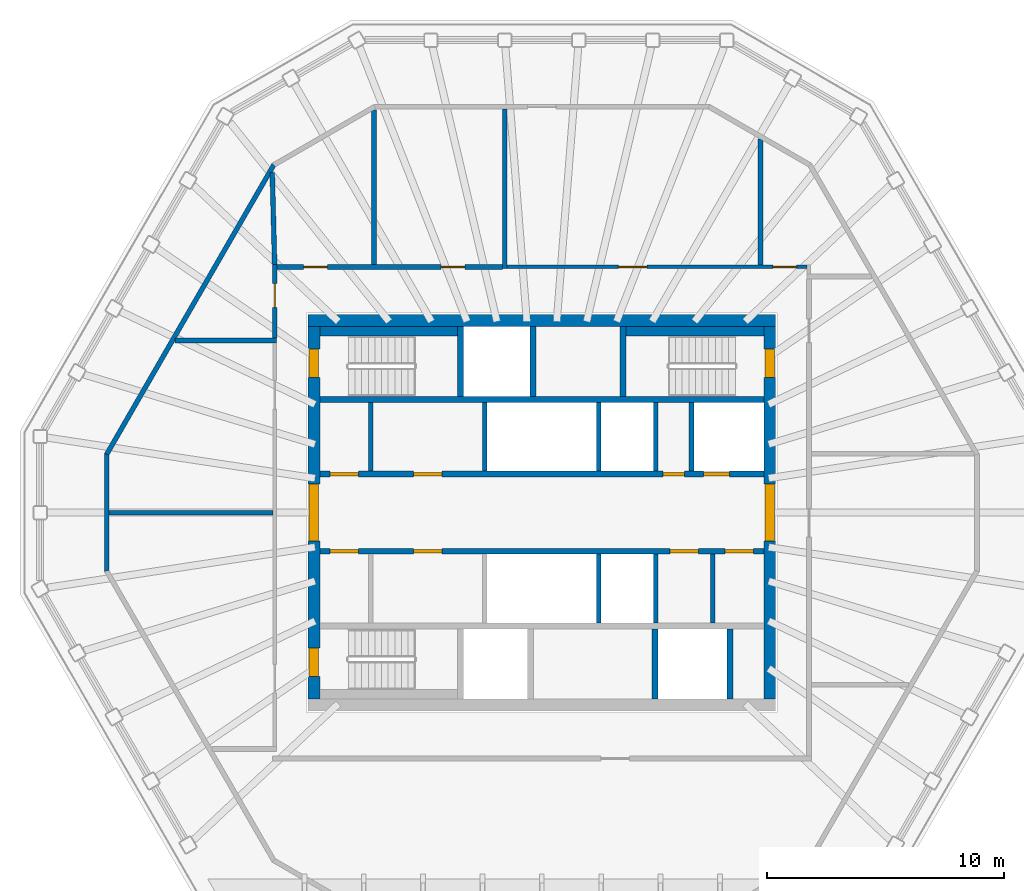
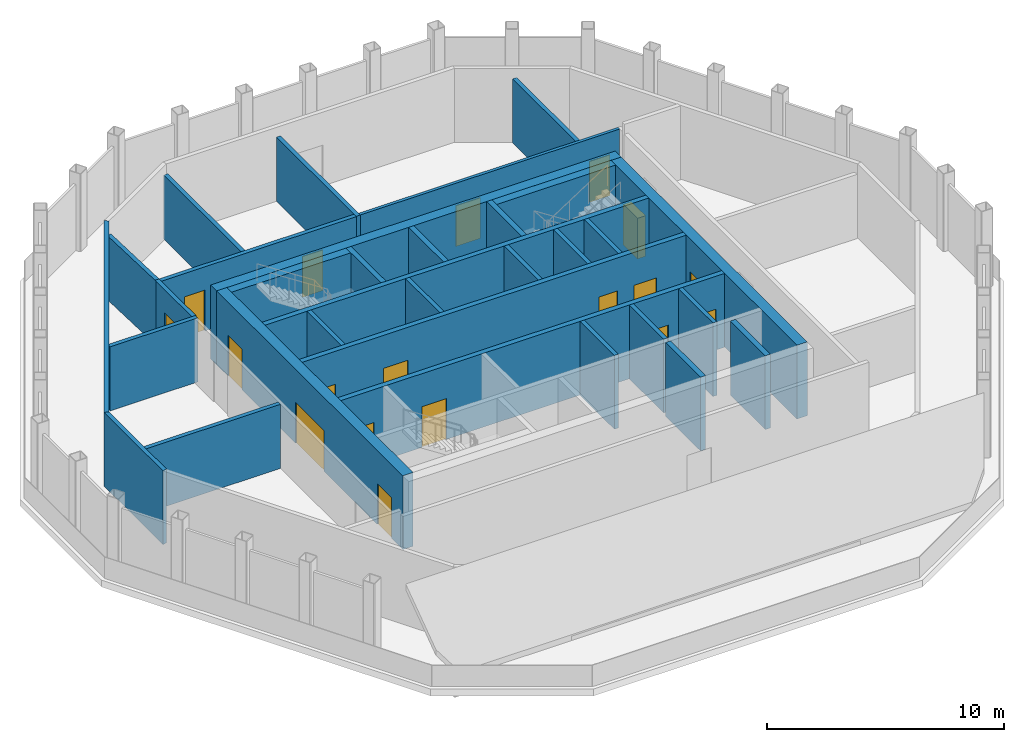
# One storey, part 3 of 5: 32 walls, 18 doors, 18 openings.
"""IFC4 building model written with IfcOpenShell, lengths in metres."""

from ifc_helpers import new_model, si_unit, direction, frame, frame_2d, origin, place, context, subcontext, project, spatial, polyline, rectangle, outline, extrude, material, layer, layer_set, type_object, element, fill, save


model = new_model("IFC4")

# Units and contexts
model_context = context("Model", 3, precision=1e-05, world=origin(), true_north=direction((0.0, 1.0)))
body_context = subcontext(model_context, "Body", "Model", "MODEL_VIEW")
ifc_project = project(units=[si_unit("LENGTHUNIT", "METRE"), si_unit("AREAUNIT", "SQUARE_METRE"), si_unit("VOLUMEUNIT", "CUBIC_METRE"), si_unit("PLANEANGLEUNIT", "RADIAN"), si_unit("MASSUNIT", "GRAM", prefix="KILO")], contexts=[model_context])

# Site, building, storey
site_placement = place(None, origin())
site = spatial("IfcSite", under=ifc_project, at=site_placement, CompositionType="ELEMENT")
building_placement = place(site_placement, origin())
building = spatial("IfcBuilding", under=site, at=building_placement, Name="Frailejon Research Tower", CompositionType="ELEMENT")
storey_placement = place(building_placement, frame((0.0, 0.0, 344.60009765625)))
storey = spatial("IfcBuildingStorey", under=building, at=storey_placement, Name="L77", CompositionType="ELEMENT", Elevation=344.60009765625)

# Wall
ifc_material_1 = material(Name="Concrete C50/60", Category="concrete")
ifc_layer_1 = layer(ifc_material_1, 0.5)
ifc_layer_set_1 = layer_set([ifc_layer_1], Name="Core shear wall 500 C50/60")
wall_type_1 = type_object("IfcWallType", Name="Core shear wall 500 C50/60", PredefinedType="SHEAR", material=ifc_layer_set_1)
wall_1_placement = place(storey_placement, frame((-9.85009765625, 8.10009765625, 0.0), z_axis=(0.0, 0.0, 1.0), x_axis=(1.0, 0.0, 0.0)))
element("IfcWall", 1, at=wall_1_placement, inside=storey, type_object=wall_type_1, Name="Core shear wall", PredefinedType="SHEAR", context=body_context, shape_type="SweptSolid", body=[
    extrude(rectangle(XDim=19.7001953125, YDim=0.5, at=frame_2d((9.85009765625, 0.0))), origin(), (0.0, 0.0, 1.0), 3.7998046875),
])

# Wall, openings, doors
wall_2_placement = place(storey_placement, frame((-9.60009765625, -7.85009765625, 0.0), z_axis=(0.0, 0.0, 1.0), x_axis=(0.0, 1.0, 0.0)))
wall_2 = element("IfcWall", 2, at=wall_2_placement, inside=storey, type_object=wall_type_1, Name="Core shear wall", PredefinedType="SHEAR", context=body_context, shape_type="SweptSolid", body=[
    extrude(rectangle(XDim=15.7001953125, YDim=0.5, at=frame_2d((7.85009765625, 0.0))), origin(), (0.0, 0.0, 1.0), 3.7998046875),
])
opening_1_placement = place(wall_2_placement, frame((6.64990234375, 0.0, 0.0)))
opening_1 = element("IfcOpeningElement", 3, at=opening_1_placement, cuts=wall_2, Name="Opening D2", PredefinedType="OPENING", context=body_context, shape_type="SweptSolid", body=[
    extrude(rectangle(XDim=2.39990234375, YDim=2.10009765625, at=frame_2d((1.199951171875, 1.050048828125))), frame((0.0, 0.260009765625, 0.0), z_axis=(0.0, -1.0, 0.0), x_axis=(1.0, 0.0, 0.0)), (0.0, 0.0, 1.0), 0.52001953125),
])
opening_2_placement = place(wall_2_placement, frame((13.550048828125, 0.0, 0.0)))
opening_2 = element("IfcOpeningElement", 4, at=opening_2_placement, cuts=wall_2, Name="Opening D1", PredefinedType="OPENING", context=body_context, shape_type="SweptSolid", body=[
    extrude(rectangle(XDim=1.199951171875, YDim=2.10009765625, at=frame_2d((0.60009765625, 1.050048828125))), frame((0.0, 0.260009765625, 0.0), z_axis=(0.0, -1.0, 0.0), x_axis=(1.0, 0.0, 0.0)), (0.0, 0.0, 1.0), 0.52001953125),
])
opening_3_placement = place(wall_2_placement, frame((0.949951171875, 0.0, 0.0)))
opening_3 = element("IfcOpeningElement", 5, at=opening_3_placement, cuts=wall_2, Name="Opening D1", PredefinedType="OPENING", context=body_context, shape_type="SweptSolid", body=[
    extrude(rectangle(XDim=1.199951171875, YDim=2.10009765625, at=frame_2d((0.60009765625, 1.050048828125))), frame((0.0, 0.260009765625, 0.0), z_axis=(0.0, -1.0, 0.0), x_axis=(1.0, 0.0, 0.0)), (0.0, 0.0, 1.0), 0.52001953125),
])
ifc_material_2 = material(Name="Steel", Category="steel")
door_type_1 = type_object("IfcDoorType", Name="Lobby double door", OperationType="DOUBLE_DOOR_SINGLE_SWING", PredefinedType="DOOR", material=ifc_material_2)
door_1_placement = place(opening_1_placement, origin())
door_1 = element("IfcDoor", 6, at=door_1_placement, inside=storey, type_object=door_type_1, Name="Lobby door", OperationType="DOUBLE_DOOR_SINGLE_SWING", OverallHeight=2.10009765625, OverallWidth=2.39990234375, PredefinedType="DOOR", context=body_context, shape_type="SweptSolid", body=[
    extrude(rectangle(XDim=2.39990234375, YDim=2.10009765625, at=frame_2d((1.199951171875, 1.050048828125))), frame((0.0, 0.199951171875, 0.0), z_axis=(0.0, -1.0, 0.0), x_axis=(1.0, 0.0, 0.0)), (0.0, 0.0, 1.0), 0.39990234375),
])
fill(opening_1, door_1)
ifc_material_3 = material(Name="Steel", Category="steel")
door_type_2 = type_object("IfcDoorType", Name="Stair door", OperationType="SINGLE_SWING_LEFT", PredefinedType="DOOR", material=ifc_material_3)
door_2_placement = place(opening_2_placement, origin())
door_2 = element("IfcDoor", 7, at=door_2_placement, inside=storey, type_object=door_type_2, Name="Stair door ST1", OperationType="SINGLE_SWING_LEFT", OverallHeight=2.10009765625, OverallWidth=1.199951171875, PredefinedType="DOOR", context=body_context, shape_type="SweptSolid", body=[
    extrude(rectangle(XDim=1.199951171875, YDim=2.10009765625, at=frame_2d((0.60009765625, 1.050048828125))), frame((0.0, 0.199951171875, 0.0), z_axis=(0.0, -1.0, 0.0), x_axis=(1.0, 0.0, 0.0)), (0.0, 0.0, 1.0), 0.39990234375),
])
fill(opening_2, door_2)
door_3_placement = place(opening_3_placement, origin())
door_3 = element("IfcDoor", 8, at=door_3_placement, inside=storey, type_object=door_type_2, Name="Stair door ST2", OperationType="SINGLE_SWING_RIGHT", OverallHeight=2.10009765625, OverallWidth=1.199951171875, PredefinedType="DOOR", context=body_context, shape_type="SweptSolid", body=[
    extrude(rectangle(XDim=1.199951171875, YDim=2.10009765625, at=frame_2d((0.60009765625, 1.050048828125))), frame((0.0, 0.199951171875, 0.0), z_axis=(0.0, -1.0, 0.0), x_axis=(1.0, 0.0, 0.0)), (0.0, 0.0, 1.0), 0.39990234375),
])
fill(opening_3, door_3)

wall_3_placement = place(storey_placement, frame((9.60009765625, -7.85009765625, 0.0), z_axis=(0.0, 0.0, 1.0), x_axis=(0.0, 1.0, 0.0)))
wall_3 = element("IfcWall", 9, at=wall_3_placement, inside=storey, type_object=wall_type_1, Name="Core shear wall", PredefinedType="SHEAR", context=body_context, shape_type="SweptSolid", body=[
    extrude(rectangle(XDim=15.7001953125, YDim=0.5, at=frame_2d((7.85009765625, 0.0))), origin(), (0.0, 0.0, 1.0), 3.7998046875),
])
opening_4_placement = place(wall_3_placement, frame((6.64990234375, 0.0, 0.0)))
opening_4 = element("IfcOpeningElement", 10, at=opening_4_placement, cuts=wall_3, Name="Opening D2", PredefinedType="OPENING", context=body_context, shape_type="SweptSolid", body=[
    extrude(rectangle(XDim=2.39990234375, YDim=2.10009765625, at=frame_2d((1.199951171875, 1.050048828125))), frame((0.0, 0.260009765625, 0.0), z_axis=(0.0, -1.0, 0.0), x_axis=(1.0, 0.0, 0.0)), (0.0, 0.0, 1.0), 0.52001953125),
])
opening_5_placement = place(wall_3_placement, frame((13.550048828125, 0.0, 0.0)))
opening_5 = element("IfcOpeningElement", 11, at=opening_5_placement, cuts=wall_3, Name="Opening D1", PredefinedType="OPENING", context=body_context, shape_type="SweptSolid", body=[
    extrude(rectangle(XDim=1.199951171875, YDim=2.10009765625, at=frame_2d((0.60009765625, 1.050048828125))), frame((0.0, 0.260009765625, 0.0), z_axis=(0.0, -1.0, 0.0), x_axis=(1.0, 0.0, 0.0)), (0.0, 0.0, 1.0), 0.52001953125),
])
door_4_placement = place(opening_4_placement, origin())
door_4 = element("IfcDoor", 12, at=door_4_placement, inside=storey, type_object=door_type_1, Name="Lobby door", OperationType="DOUBLE_DOOR_SINGLE_SWING", OverallHeight=2.10009765625, OverallWidth=2.39990234375, PredefinedType="DOOR", context=body_context, shape_type="SweptSolid", body=[
    extrude(rectangle(XDim=2.39990234375, YDim=2.10009765625, at=frame_2d((1.199951171875, 1.050048828125))), frame((0.0, 0.199951171875, 0.0), z_axis=(0.0, -1.0, 0.0), x_axis=(1.0, 0.0, 0.0)), (0.0, 0.0, 1.0), 0.39990234375),
])
fill(opening_4, door_4)
door_5_placement = place(opening_5_placement, origin())
door_5 = element("IfcDoor", 13, at=door_5_placement, inside=storey, type_object=door_type_2, Name="Stair door ST3", OperationType="SINGLE_SWING_LEFT", OverallHeight=2.10009765625, OverallWidth=1.199951171875, PredefinedType="DOOR", context=body_context, shape_type="SweptSolid", body=[
    extrude(rectangle(XDim=1.199951171875, YDim=2.10009765625, at=frame_2d((0.60009765625, 1.050048828125))), frame((0.0, 0.199951171875, 0.0), z_axis=(0.0, -1.0, 0.0), x_axis=(1.0, 0.0, 0.0)), (0.0, 0.0, 1.0), 0.39990234375),
])
fill(opening_5, door_5)

ifc_material_4 = material(Name="Gypsum board and masonry partition", Category="masonry")
ifc_layer_2 = layer(ifc_material_4, 0.14990234375)
ifc_layer_set_2 = layer_set([ifc_layer_2], Name="Corridor wall EI 60, gypsum on steel studs 150")
wall_type_2 = type_object("IfcWallType", Name="Corridor wall EI 60, gypsum on steel studs 150", PredefinedType="PARTITIONING", material=ifc_layer_set_2)
wall_4_placement = place(storey_placement, frame((-1.45751953125, 10.35009765625, 0.0), z_axis=(0.0, 0.0, 1.0), x_axis=(1.0, 0.0, 0.0)))
wall_4 = element("IfcWall", 14, at=wall_4_placement, inside=storey, type_object=wall_type_2, Name="T:IW:L77:001", PredefinedType="PARTITIONING", context=body_context, shape_type="SweptSolid", body=[
    extrude(rectangle(XDim=12.632568359375, YDim=0.14990234375, at=frame_2d((6.31640625, 0.0))), origin(), (0.0, 0.0, 1.0), 3.2998046875),
])
opening_6_placement = place(wall_4_placement, frame((11.189208984375, 0.0, 0.0)))
opening_6 = element("IfcOpeningElement", 15, at=opening_6_placement, cuts=wall_4, Name="Opening D1163", PredefinedType="OPENING", context=body_context, shape_type="SweptSolid", body=[
    extrude(rectangle(XDim=1.0, YDim=2.10009765625, at=frame_2d((0.5, 1.050048828125))), frame((0.0, 0.0849609375, 0.0), z_axis=(0.0, -1.0, 0.0), x_axis=(1.0, 0.0, 0.0)), (0.0, 0.0, 1.0), 0.169921875),
])
opening_7_placement = place(wall_4_placement, frame((4.685546875, 0.0, 0.0)))
opening_7 = element("IfcOpeningElement", 16, at=opening_7_placement, cuts=wall_4, Name="Opening D1164", PredefinedType="OPENING", context=body_context, shape_type="SweptSolid", body=[
    extrude(rectangle(XDim=1.199951171875, YDim=2.10009765625, at=frame_2d((0.60009765625, 1.050048828125))), frame((0.0, 0.0849609375, 0.0), z_axis=(0.0, -1.0, 0.0), x_axis=(1.0, 0.0, 0.0)), (0.0, 0.0, 1.0), 0.169921875),
])
ifc_material_5 = material(Name="Steel door leaf", Category="steel")
door_type_3 = type_object("IfcDoorType", Name="Door plant room, steel 1200", OperationType="NOTDEFINED", PredefinedType="DOOR", material=ifc_material_5)
door_6_placement = place(opening_7_placement, origin())
door_6 = element("IfcDoor", 17, at=door_6_placement, inside=storey, type_object=door_type_3, Name="D1164", OperationType="DOUBLE_DOOR_SINGLE_SWING", OverallHeight=2.10009765625, OverallWidth=1.199951171875, PredefinedType="DOOR", context=body_context, shape_type="SweptSolid", body=[
    extrude(rectangle(XDim=1.199951171875, YDim=2.10009765625, at=frame_2d((0.60009765625, 1.050048828125))), frame((0.0, 0.02490234375, 0.0), z_axis=(0.0, -1.0, 0.0), x_axis=(1.0, 0.0, 0.0)), (0.0, 0.0, 1.0), 0.050048828125),
])
fill(opening_7, door_6)
ifc_material_6 = material(Name="Timber door leaf", Category="wood")
door_type_4 = type_object("IfcDoorType", Name="Door single leaf, timber, steel frame 1000", OperationType="NOTDEFINED", PredefinedType="DOOR", material=ifc_material_6)
door_7_placement = place(opening_6_placement, origin())
door_7 = element("IfcDoor", 18, at=door_7_placement, inside=storey, type_object=door_type_4, Name="D1163", OperationType="SINGLE_SWING_RIGHT", OverallHeight=2.10009765625, OverallWidth=1.0, PredefinedType="DOOR", context=body_context, shape_type="SweptSolid", body=[
    extrude(rectangle(XDim=1.0, YDim=2.10009765625, at=frame_2d((0.5, 1.050048828125))), frame((0.0, 0.02490234375, 0.0), z_axis=(0.0, -1.0, 0.0), x_axis=(1.0, 0.0, 0.0)), (0.0, 0.0, 1.0), 0.050048828125),
])
fill(opening_6, door_7)

# Walls
ifc_material_7 = material(Name="Aluminium louvre cladding panel", Category="aluminium")
ifc_layer_3 = layer(ifc_material_7, 0.199951171875)
ifc_layer_set_3 = layer_set([ifc_layer_3], Name="Crown louvred wall 200")
wall_type_3 = type_object("IfcWallType", Name="Crown louvred wall 200", PredefinedType="SOLIDWALL", material=ifc_layer_set_3)
wall_5_placement = place(storey_placement, frame((-11.29052734375, 14.644287109375, 0.0), z_axis=(0.0, 0.0, 1.0), x_axis=(-0.499991740577, -0.866030172312, 0.0)))
element("IfcWall", 19, at=wall_5_placement, inside=storey, type_object=wall_type_3, Name="Crown louvred wall L77", PredefinedType="SOLIDWALL", context=body_context, shape_type="SweptSolid", body=[
    extrude(outline(polyline([(-0.02685546875, -0.10009765625), (14.100830078125, -0.10009765625), (14.047119140625, 0.10009765625), (0.02685546875, 0.10009765625), (-0.02685546875, -0.10009765625)])), origin(), (0.0, 0.0, 1.0), 3.7998046875),
])
wall_6_placement = place(storey_placement, frame((-18.327392578125, 2.455810546875, 0.0), z_axis=(0.0, 0.0, 1.0), x_axis=(0.0, -1.0, 0.0)))
element("IfcWall", 20, at=wall_6_placement, inside=storey, type_object=wall_type_3, Name="Crown louvred wall L77", PredefinedType="SOLIDWALL", context=body_context, shape_type="SweptSolid", body=[
    extrude(outline(polyline([(-0.02685546875, -0.10009765625), (4.9384765625, -0.10009765625), (4.884765625, 0.10009765625), (0.02685546875, 0.10009765625), (-0.02685546875, -0.10009765625)])), origin(), (0.0, 0.0, 1.0), 3.7998046875),
])

# Wall, openings, doors
ifc_material_8 = material(Name="Gypsum board and masonry partition", Category="masonry")
ifc_layer_4 = layer(ifc_material_8, 0.199951171875)
ifc_layer_set_4 = layer_set([ifc_layer_4], Name="Plant enclosure wall, blockwork 200")
wall_type_4 = type_object("IfcWallType", Name="Plant enclosure wall, blockwork 200", PredefinedType="PARTITIONING", material=ifc_layer_set_4)
wall_7_placement = place(storey_placement, frame((-11.14990234375, 10.35009765625, 0.0), z_axis=(0.0, 0.0, 1.0), x_axis=(1.0, 0.0, 0.0)))
wall_7 = element("IfcWall", 21, at=wall_7_placement, inside=storey, type_object=wall_type_4, Name="T:IW:L77:005", PredefinedType="PARTITIONING", context=body_context, shape_type="SweptSolid", body=[
    extrude(rectangle(XDim=9.492431640625, YDim=0.199951171875, at=frame_2d((4.74609375, 0.0))), origin(), (0.0, 0.0, 1.0), 3.2998046875),
])
opening_8_placement = place(wall_7_placement, frame((6.910400390625, 0.0, 0.0)))
opening_8 = element("IfcOpeningElement", 22, at=opening_8_placement, cuts=wall_7, Name="Opening D1165", PredefinedType="OPENING", context=body_context, shape_type="SweptSolid", body=[
    extrude(rectangle(XDim=1.0, YDim=2.10009765625, at=frame_2d((0.5, 1.050048828125))), frame((0.0, 0.10986328125, 0.0), z_axis=(0.0, -1.0, 0.0), x_axis=(1.0, 0.0, 0.0)), (0.0, 0.0, 1.0), 0.219970703125),
])
opening_9_placement = place(wall_7_placement, frame((1.1201171875, 0.0, 0.0)))
opening_9 = element("IfcOpeningElement", 23, at=opening_9_placement, cuts=wall_7, Name="Opening D1166", PredefinedType="OPENING", context=body_context, shape_type="SweptSolid", body=[
    extrude(rectangle(XDim=1.0, YDim=2.10009765625, at=frame_2d((0.5, 1.050048828125))), frame((0.0, 0.10986328125, 0.0), z_axis=(0.0, -1.0, 0.0), x_axis=(1.0, 0.0, 0.0)), (0.0, 0.0, 1.0), 0.219970703125),
])
ifc_material_9 = material(Name="Steel door leaf", Category="steel")
door_type_5 = type_object("IfcDoorType", Name="Door plant room, steel 1000", OperationType="NOTDEFINED", PredefinedType="DOOR", material=ifc_material_9)
door_8_placement = place(opening_8_placement, origin())
door_8 = element("IfcDoor", 24, at=door_8_placement, inside=storey, type_object=door_type_5, Name="D1165", OperationType="SINGLE_SWING_RIGHT", OverallHeight=2.10009765625, OverallWidth=1.0, PredefinedType="DOOR", context=body_context, shape_type="SweptSolid", body=[
    extrude(rectangle(XDim=1.0, YDim=2.10009765625, at=frame_2d((0.5, 1.050048828125))), frame((0.0, 0.02490234375, 0.0), z_axis=(0.0, -1.0, 0.0), x_axis=(1.0, 0.0, 0.0)), (0.0, 0.0, 1.0), 0.050048828125),
])
fill(opening_8, door_8)
door_9_placement = place(opening_9_placement, origin())
door_9 = element("IfcDoor", 25, at=door_9_placement, inside=storey, type_object=door_type_5, Name="D1166", OperationType="SINGLE_SWING_RIGHT", OverallHeight=2.10009765625, OverallWidth=1.0, PredefinedType="DOOR", context=body_context, shape_type="SweptSolid", body=[
    extrude(rectangle(XDim=1.0, YDim=2.10009765625, at=frame_2d((0.5, 1.050048828125))), frame((0.0, 0.02490234375, 0.0), z_axis=(0.0, -1.0, 0.0), x_axis=(1.0, 0.0, 0.0)), (0.0, 0.0, 1.0), 0.050048828125),
])
fill(opening_9, door_9)

# Wall, opening, door
wall_8_placement = place(storey_placement, frame((-11.25, 7.351318359375, 0.0), z_axis=(0.0, 0.0, 1.0), x_axis=(0.0, 1.0, 0.0)))
wall_8 = element("IfcWall", 26, at=wall_8_placement, inside=storey, type_object=wall_type_4, Name="T:IW:L77:006", PredefinedType="PARTITIONING", context=body_context, shape_type="SweptSolid", body=[
    extrude(rectangle(XDim=3.0986328125, YDim=0.199951171875, at=frame_2d((1.54931640625, 0.0))), origin(), (0.0, 0.0, 1.0), 3.2998046875),
])
opening_10_placement = place(wall_8_placement, frame((1.299072265625, 0.0, 0.0)))
opening_10 = element("IfcOpeningElement", 27, at=opening_10_placement, cuts=wall_8, Name="Opening D1167", PredefinedType="OPENING", context=body_context, shape_type="SweptSolid", body=[
    extrude(rectangle(XDim=1.0, YDim=2.10009765625, at=frame_2d((0.5, 1.050048828125))), frame((0.0, 0.10986328125, 0.0), z_axis=(0.0, -1.0, 0.0), x_axis=(1.0, 0.0, 0.0)), (0.0, 0.0, 1.0), 0.219970703125),
])
door_10_placement = place(opening_10_placement, origin())
door_10 = element("IfcDoor", 28, at=door_10_placement, inside=storey, type_object=door_type_5, Name="D1167", OperationType="SINGLE_SWING_LEFT", OverallHeight=2.10009765625, OverallWidth=1.0, PredefinedType="DOOR", context=body_context, shape_type="SweptSolid", body=[
    extrude(rectangle(XDim=1.0, YDim=2.10009765625, at=frame_2d((0.5, 1.050048828125))), frame((0.0, 0.02490234375, 0.0), z_axis=(0.0, -1.0, 0.0), x_axis=(1.0, 0.0, 0.0)), (0.0, 0.0, 1.0), 0.050048828125),
])
fill(opening_10, door_10)

# Walls
wall_9_placement = place(storey_placement, frame((9.2138671875, 10.425048828125, 0.0), z_axis=(0.0, 0.0, 1.0), x_axis=(0.0, 1.0, 0.0)))
element("IfcWall", 29, at=wall_9_placement, inside=storey, type_object=wall_type_4, Name="T:IW:L77:010", PredefinedType="PARTITIONING", context=body_context, shape_type="SweptSolid", body=[
    extrude(rectangle(XDim=5.302734375, YDim=0.199951171875, at=frame_2d((2.6513671875, 0.0))), origin(), (0.0, 0.0, 1.0), 3.2998046875),
])
wall_10_placement = place(storey_placement, frame((-1.557373046875, 10.27490234375, 0.0), z_axis=(0.0, 0.0, 1.0), x_axis=(0.0, 1.0, 0.0)))
element("IfcWall", 30, at=wall_10_placement, inside=storey, type_object=wall_type_4, Name="T:IW:L77:011", PredefinedType="PARTITIONING", context=body_context, shape_type="SweptSolid", body=[
    extrude(rectangle(XDim=6.72509765625, YDim=0.199951171875, at=frame_2d((3.362548828125, 0.0))), origin(), (0.0, 0.0, 1.0), 3.2998046875),
])
wall_11_placement = place(storey_placement, frame((-7.063720703125, 10.449951171875, 0.0), z_axis=(0.0, 0.0, 1.0), x_axis=(0.0, 1.0, 0.0)))
element("IfcWall", 31, at=wall_11_placement, inside=storey, type_object=wall_type_4, Name="T:IW:L77:012", PredefinedType="PARTITIONING", context=body_context, shape_type="SweptSolid", body=[
    extrude(rectangle(XDim=6.51904296875, YDim=0.199951171875, at=frame_2d((3.259521484375, 0.0))), origin(), (0.0, 0.0, 1.0), 3.2998046875),
])
wall_12_placement = place(storey_placement, frame((-11.353759765625, 14.334716796875, 0.0), z_axis=(0.0, 0.0, 1.0), x_axis=(0.026050566799, -0.999660626398, 0.0)))
element("IfcWall", 32, at=wall_12_placement, inside=storey, type_object=wall_type_4, Name="T:IW:L77:013", PredefinedType="PARTITIONING", context=body_context, shape_type="SweptSolid", body=[
    extrude(rectangle(XDim=4.086181640625, YDim=0.199951171875, at=frame_2d((2.04296875, 0.0))), origin(), (0.0, 0.0, 1.0), 3.2998046875),
])
wall_13_placement = place(storey_placement, frame((-15.443359375, 7.251220703125, 0.0), z_axis=(0.0, 0.0, 1.0), x_axis=(1.0, 0.0, 0.0)))
element("IfcWall", 33, at=wall_13_placement, inside=storey, type_object=wall_type_4, Name="T:IW:L77:014", PredefinedType="PARTITIONING", context=body_context, shape_type="SweptSolid", body=[
    extrude(rectangle(XDim=4.268310546875, YDim=0.199951171875, at=frame_2d((2.13427734375, 0.0))), origin(), (0.0, 0.0, 1.0), 3.2998046875),
])
wall_14_placement = place(storey_placement, frame((-18.2275390625, 0.0, 0.0), z_axis=(0.0, 0.0, 1.0), x_axis=(1.0, 0.0, 0.0)))
element("IfcWall", 34, at=wall_14_placement, inside=storey, type_object=wall_type_4, Name="T:IW:L77:015", PredefinedType="PARTITIONING", context=body_context, shape_type="SweptSolid", body=[
    extrude(rectangle(XDim=6.902587890625, YDim=0.199951171875, at=frame_2d((3.451171875, 0.0))), origin(), (0.0, 0.0, 1.0), 3.2998046875),
])
ifc_material_10 = material(Name="Concrete C50/60", Category="concrete")
ifc_layer_5 = layer(ifc_material_10, 0.199951171875)
ifc_layer_set_5 = layer_set([ifc_layer_5], Name="Shaft wall 200 C50/60")
wall_type_5 = type_object("IfcWallType", Name="Shaft wall 200 C50/60", PredefinedType="SOLIDWALL", material=ifc_layer_set_5)
for number, where, z_axis, x_axis, name in (
    (35, (-7.199951171875, 1.75, 0.0), (0.0, 0.0, 1.0), (0.0, 1.0, 0.0), "Shaft wall"),
    (36, (-2.39990234375, 1.75, 0.0), (0.0, 0.0, 1.0), (0.0, 1.0, 0.0), "Shaft wall"),
    (37, (2.39990234375, 1.75, 0.0), (0.0, 0.0, 1.0), (0.0, 1.0, 0.0), "Shaft wall"),
    (38, (4.800048828125, 1.75, 0.0), (0.0, 0.0, 1.0), (0.0, 1.0, 0.0), "Shaft wall"),
    (39, (6.300048828125, 1.75, 0.0), (0.0, 0.0, 1.0), (0.0, 1.0, 0.0), "Shaft wall"),
    (40, (2.39990234375, -4.64990234375, 0.0), (0.0, 0.0, 1.0), (0.0, 1.0, 0.0), "Shaft wall"),
    (41, (4.800048828125, -4.64990234375, 0.0), (0.0, 0.0, 1.0), (0.0, 1.0, 0.0), "Shaft wall"),
    (42, (7.199951171875, -4.64990234375, 0.0), (0.0, 0.0, 1.0), (0.0, 1.0, 0.0), "Shaft wall"),
):
    element("IfcWall", number, at=place(storey_placement, frame(where, z_axis=z_axis, x_axis=x_axis)), inside=storey, type_object=wall_type_5, Name=name, PredefinedType="SOLIDWALL", context=body_context, shape_type="SweptSolid", body=[
        extrude(rectangle(XDim=2.89990234375, YDim=0.199951171875, at=frame_2d((1.449951171875, 0.0))), origin(), (0.0, 0.0, 1.0), 3.7998046875),
    ])

# Wall, openings, doors
ifc_material_11 = material(Name="Concrete C50/60", Category="concrete")
ifc_layer_6 = layer(ifc_material_11, 0.25)
ifc_layer_set_6 = layer_set([ifc_layer_6], Name="Shaft wall 250 C50/60")
wall_type_6 = type_object("IfcWallType", Name="Shaft wall 250 C50/60", PredefinedType="SOLIDWALL", material=ifc_layer_set_6)
wall_15_placement = place(storey_placement, frame((-9.35009765625, 1.625, 0.0), z_axis=(0.0, 0.0, 1.0), x_axis=(1.0, 0.0, 0.0)))
wall_15 = element("IfcWall", 43, at=wall_15_placement, inside=storey, type_object=wall_type_6, Name="Shaft wall", PredefinedType="SOLIDWALL", context=body_context, shape_type="SweptSolid", body=[
    extrude(rectangle(XDim=18.7001953125, YDim=0.25, at=frame_2d((9.35009765625, 0.0))), origin(), (0.0, 0.0, 1.0), 3.7998046875),
])
opening_11_placement = place(wall_15_placement, frame((16.14990234375, 0.0, 0.0)))
opening_11 = element("IfcOpeningElement", 44, at=opening_11_placement, cuts=wall_15, Name="Opening LD", PredefinedType="OPENING", context=body_context, shape_type="SweptSolid", body=[
    extrude(rectangle(XDim=1.10009765625, YDim=2.10009765625, at=frame_2d((0.550048828125, 1.050048828125))), frame((0.0, 0.135009765625, 0.0), z_axis=(0.0, -1.0, 0.0), x_axis=(1.0, 0.0, 0.0)), (0.0, 0.0, 1.0), 0.27001953125),
])
opening_12_placement = place(wall_15_placement, frame((0.425048828125, 0.0, 0.0)))
opening_12 = element("IfcOpeningElement", 45, at=opening_12_placement, cuts=wall_15, Name="Opening D6", PredefinedType="OPENING", context=body_context, shape_type="SweptSolid", body=[
    extrude(rectangle(XDim=1.199951171875, YDim=2.10009765625, at=frame_2d((0.60009765625, 1.050048828125))), frame((0.0, 0.135009765625, 0.0), z_axis=(0.0, -1.0, 0.0), x_axis=(1.0, 0.0, 0.0)), (0.0, 0.0, 1.0), 0.27001953125),
])
opening_13_placement = place(wall_15_placement, frame((3.949951171875, 0.0, 0.0)))
opening_13 = element("IfcOpeningElement", 46, at=opening_13_placement, cuts=wall_15, Name="Opening D6", PredefinedType="OPENING", context=body_context, shape_type="SweptSolid", body=[
    extrude(rectangle(XDim=1.199951171875, YDim=2.10009765625, at=frame_2d((0.60009765625, 1.050048828125))), frame((0.0, 0.135009765625, 0.0), z_axis=(0.0, -1.0, 0.0), x_axis=(1.0, 0.0, 0.0)), (0.0, 0.0, 1.0), 0.27001953125),
])
opening_14_placement = place(wall_15_placement, frame((14.449951171875, 0.0, 0.0)))
opening_14 = element("IfcOpeningElement", 47, at=opening_14_placement, cuts=wall_15, Name="Opening D8", PredefinedType="OPENING", context=body_context, shape_type="SweptSolid", body=[
    extrude(rectangle(XDim=0.89990234375, YDim=2.10009765625, at=frame_2d((0.449951171875, 1.050048828125))), frame((0.0, 0.135009765625, 0.0), z_axis=(0.0, -1.0, 0.0), x_axis=(1.0, 0.0, 0.0)), (0.0, 0.0, 1.0), 0.27001953125),
])
ifc_material_12 = material(Name="Steel", Category="steel")
door_type_6 = type_object("IfcDoorType", Name="Core room door", OperationType="SINGLE_SWING_LEFT", PredefinedType="DOOR", material=ifc_material_12)
door_11_placement = place(opening_14_placement, origin())
door_11 = element("IfcDoor", 48, at=door_11_placement, inside=storey, type_object=door_type_6, Name="Room door", OperationType="SINGLE_SWING_RIGHT", OverallHeight=2.10009765625, OverallWidth=0.89990234375, PredefinedType="DOOR", context=body_context, shape_type="SweptSolid", body=[
    extrude(rectangle(XDim=0.89990234375, YDim=2.10009765625, at=frame_2d((0.449951171875, 1.050048828125))), frame((0.0, 0.074951171875, 0.0), z_axis=(0.0, -1.0, 0.0), x_axis=(1.0, 0.0, 0.0)), (0.0, 0.0, 1.0), 0.14990234375),
])
fill(opening_14, door_11)
ifc_material_13 = material(Name="Steel", Category="steel")
door_type_7 = type_object("IfcDoorType", Name="Lift landing door", OperationType="DOUBLE_DOOR_SLIDING", PredefinedType="DOOR", material=ifc_material_13)
door_12_placement = place(opening_11_placement, origin())
door_12 = element("IfcDoor", 49, at=door_12_placement, inside=storey, type_object=door_type_7, Name="Lift landing door", OperationType="DOUBLE_DOOR_SLIDING", OverallHeight=2.10009765625, OverallWidth=1.10009765625, PredefinedType="DOOR", context=body_context, shape_type="SweptSolid", body=[
    extrude(rectangle(XDim=1.10009765625, YDim=2.10009765625, at=frame_2d((0.550048828125, 1.050048828125))), frame((0.0, 0.074951171875, 0.0), z_axis=(0.0, -1.0, 0.0), x_axis=(1.0, 0.0, 0.0)), (0.0, 0.0, 1.0), 0.14990234375),
])
fill(opening_11, door_12)
ifc_material_14 = material(Name="Steel", Category="steel")
door_type_8 = type_object("IfcDoorType", Name="Plant door", OperationType="SINGLE_SWING_LEFT", PredefinedType="DOOR", material=ifc_material_14)
door_13_placement = place(opening_12_placement, origin())
door_13 = element("IfcDoor", 50, at=door_13_placement, inside=storey, type_object=door_type_8, Name="Room door", OperationType="SINGLE_SWING_RIGHT", OverallHeight=2.10009765625, OverallWidth=1.199951171875, PredefinedType="DOOR", context=body_context, shape_type="SweptSolid", body=[
    extrude(rectangle(XDim=1.199951171875, YDim=2.10009765625, at=frame_2d((0.60009765625, 1.050048828125))), frame((0.0, 0.074951171875, 0.0), z_axis=(0.0, -1.0, 0.0), x_axis=(1.0, 0.0, 0.0)), (0.0, 0.0, 1.0), 0.14990234375),
])
fill(opening_12, door_13)
door_14_placement = place(opening_13_placement, origin())
door_14 = element("IfcDoor", 51, at=door_14_placement, inside=storey, type_object=door_type_8, Name="Room door", OperationType="SINGLE_SWING_LEFT", OverallHeight=2.10009765625, OverallWidth=1.199951171875, PredefinedType="DOOR", context=body_context, shape_type="SweptSolid", body=[
    extrude(rectangle(XDim=1.199951171875, YDim=2.10009765625, at=frame_2d((0.60009765625, 1.050048828125))), frame((0.0, 0.074951171875, 0.0), z_axis=(0.0, -1.0, 0.0), x_axis=(1.0, 0.0, 0.0)), (0.0, 0.0, 1.0), 0.14990234375),
])
fill(opening_13, door_14)

# Wall
wall_16_placement = place(storey_placement, frame((-9.35009765625, 4.77490234375, 0.0), z_axis=(0.0, 0.0, 1.0), x_axis=(1.0, 0.0, 0.0)))
element("IfcWall", 52, at=wall_16_placement, inside=storey, type_object=wall_type_6, Name="Shaft wall", PredefinedType="SOLIDWALL", context=body_context, shape_type="SweptSolid", body=[
    extrude(rectangle(XDim=18.7001953125, YDim=0.25, at=frame_2d((9.35009765625, 0.0))), origin(), (0.0, 0.0, 1.0), 3.7998046875),
])

# Wall, openings, doors
wall_17_placement = place(storey_placement, frame((-9.35009765625, -1.625, 0.0), z_axis=(0.0, 0.0, 1.0), x_axis=(1.0, 0.0, 0.0)))
wall_17 = element("IfcWall", 53, at=wall_17_placement, inside=storey, type_object=wall_type_6, Name="Shaft wall", PredefinedType="SOLIDWALL", context=body_context, shape_type="SweptSolid", body=[
    extrude(rectangle(XDim=18.7001953125, YDim=0.25, at=frame_2d((9.35009765625, 0.0))), origin(), (0.0, 0.0, 1.0), 3.7998046875),
])
opening_15_placement = place(wall_17_placement, frame((0.425048828125, 0.0, 0.0)))
opening_15 = element("IfcOpeningElement", 54, at=opening_15_placement, cuts=wall_17, Name="Opening D6", PredefinedType="OPENING", context=body_context, shape_type="SweptSolid", body=[
    extrude(rectangle(XDim=1.199951171875, YDim=2.10009765625, at=frame_2d((0.60009765625, 1.050048828125))), frame((0.0, 0.135009765625, 0.0), z_axis=(0.0, -1.0, 0.0), x_axis=(1.0, 0.0, 0.0)), (0.0, 0.0, 1.0), 0.27001953125),
])
opening_16_placement = place(wall_17_placement, frame((3.949951171875, 0.0, 0.0)))
opening_16 = element("IfcOpeningElement", 55, at=opening_16_placement, cuts=wall_17, Name="Opening D6", PredefinedType="OPENING", context=body_context, shape_type="SweptSolid", body=[
    extrude(rectangle(XDim=1.199951171875, YDim=2.10009765625, at=frame_2d((0.60009765625, 1.050048828125))), frame((0.0, 0.135009765625, 0.0), z_axis=(0.0, -1.0, 0.0), x_axis=(1.0, 0.0, 0.0)), (0.0, 0.0, 1.0), 0.27001953125),
])
opening_17_placement = place(wall_17_placement, frame((14.75, 0.0, 0.0)))
opening_17 = element("IfcOpeningElement", 56, at=opening_17_placement, cuts=wall_17, Name="Opening D6", PredefinedType="OPENING", context=body_context, shape_type="SweptSolid", body=[
    extrude(rectangle(XDim=1.199951171875, YDim=2.10009765625, at=frame_2d((0.60009765625, 1.050048828125))), frame((0.0, 0.135009765625, 0.0), z_axis=(0.0, -1.0, 0.0), x_axis=(1.0, 0.0, 0.0)), (0.0, 0.0, 1.0), 0.27001953125),
])
opening_18_placement = place(wall_17_placement, frame((17.074951171875, 0.0, 0.0)))
opening_18 = element("IfcOpeningElement", 57, at=opening_18_placement, cuts=wall_17, Name="Opening D6", PredefinedType="OPENING", context=body_context, shape_type="SweptSolid", body=[
    extrude(rectangle(XDim=1.199951171875, YDim=2.10009765625, at=frame_2d((0.60009765625, 1.050048828125))), frame((0.0, 0.135009765625, 0.0), z_axis=(0.0, -1.0, 0.0), x_axis=(1.0, 0.0, 0.0)), (0.0, 0.0, 1.0), 0.27001953125),
])
door_15_placement = place(opening_15_placement, origin())
door_15 = element("IfcDoor", 58, at=door_15_placement, inside=storey, type_object=door_type_8, Name="Room door", OperationType="SINGLE_SWING_LEFT", OverallHeight=2.10009765625, OverallWidth=1.199951171875, PredefinedType="DOOR", context=body_context, shape_type="SweptSolid", body=[
    extrude(rectangle(XDim=1.199951171875, YDim=2.10009765625, at=frame_2d((0.60009765625, 1.050048828125))), frame((0.0, 0.074951171875, 0.0), z_axis=(0.0, -1.0, 0.0), x_axis=(1.0, 0.0, 0.0)), (0.0, 0.0, 1.0), 0.14990234375),
])
fill(opening_15, door_15)
door_16_placement = place(opening_16_placement, origin())
door_16 = element("IfcDoor", 59, at=door_16_placement, inside=storey, type_object=door_type_8, Name="Room door", OperationType="SINGLE_SWING_RIGHT", OverallHeight=2.10009765625, OverallWidth=1.199951171875, PredefinedType="DOOR", context=body_context, shape_type="SweptSolid", body=[
    extrude(rectangle(XDim=1.199951171875, YDim=2.10009765625, at=frame_2d((0.60009765625, 1.050048828125))), frame((0.0, 0.074951171875, 0.0), z_axis=(0.0, -1.0, 0.0), x_axis=(1.0, 0.0, 0.0)), (0.0, 0.0, 1.0), 0.14990234375),
])
fill(opening_16, door_16)
door_17_placement = place(opening_17_placement, origin())
door_17 = element("IfcDoor", 60, at=door_17_placement, inside=storey, type_object=door_type_8, Name="Room door", OperationType="SINGLE_SWING_LEFT", OverallHeight=2.10009765625, OverallWidth=1.199951171875, PredefinedType="DOOR", context=body_context, shape_type="SweptSolid", body=[
    extrude(rectangle(XDim=1.199951171875, YDim=2.10009765625, at=frame_2d((0.60009765625, 1.050048828125))), frame((0.0, 0.074951171875, 0.0), z_axis=(0.0, -1.0, 0.0), x_axis=(1.0, 0.0, 0.0)), (0.0, 0.0, 1.0), 0.14990234375),
])
fill(opening_17, door_17)
door_18_placement = place(opening_18_placement, origin())
door_18 = element("IfcDoor", 61, at=door_18_placement, inside=storey, type_object=door_type_8, Name="Room door", OperationType="SINGLE_SWING_RIGHT", OverallHeight=2.10009765625, OverallWidth=1.199951171875, PredefinedType="DOOR", context=body_context, shape_type="SweptSolid", body=[
    extrude(rectangle(XDim=1.199951171875, YDim=2.10009765625, at=frame_2d((0.60009765625, 1.050048828125))), frame((0.0, 0.074951171875, 0.0), z_axis=(0.0, -1.0, 0.0), x_axis=(1.0, 0.0, 0.0)), (0.0, 0.0, 1.0), 0.14990234375),
])
fill(opening_18, door_18)

# Walls
for number, where, z_axis, x_axis, name in (
    (62, (-3.425048828125, 4.89990234375, 0.0), (0.0, 0.0, 1.0), (0.0, 1.0, 0.0), "Shaft wall"),
    (63, (-0.375, 4.89990234375, 0.0), (0.0, 0.0, 1.0), (0.0, 1.0, 0.0), "Shaft wall"),
    (64, (3.425048828125, 4.89990234375, 0.0), (0.0, 0.0, 1.0), (0.0, 1.0, 0.0), "Shaft wall"),
    (65, (4.77490234375, -7.85009765625, 0.0), (0.0, 0.0, 1.0), (0.0, 1.0, 0.0), "Shaft wall"),
    (66, (7.925048828125, -7.85009765625, 0.0), (0.0, 0.0, 1.0), (0.0, 1.0, 0.0), "Shaft wall"),
):
    element("IfcWall", number, at=place(storey_placement, frame(where, z_axis=z_axis, x_axis=x_axis)), inside=storey, type_object=wall_type_6, Name=name, PredefinedType="SOLIDWALL", context=body_context, shape_type="SweptSolid", body=[
        extrude(rectangle(XDim=2.9501953125, YDim=0.25, at=frame_2d((1.47509765625, 0.0))), origin(), (0.0, 0.0, 1.0), 3.7998046875),
    ])
ifc_material_15 = material(Name="Concrete C50/60", Category="concrete")
ifc_layer_7 = layer(ifc_material_15, 0.39990234375)
ifc_layer_set_7 = layer_set([ifc_layer_7], Name="Shaft wall 400 C50/60")
wall_type_7 = type_object("IfcWallType", Name="Shaft wall 400 C50/60", PredefinedType="SOLIDWALL", material=ifc_layer_set_7)
for number, where, z_axis, x_axis, name in (
    (67, (-9.35009765625, 7.64990234375, 0.0), (0.0, 0.0, 1.0), (1.0, 0.0, 0.0), "Shaft wall"),
    (68, (3.550048828125, 7.64990234375, 0.0), (0.0, 0.0, 1.0), (1.0, 0.0, 0.0), "Shaft wall"),
):
    element("IfcWall", number, at=place(storey_placement, frame(where, z_axis=z_axis, x_axis=x_axis)), inside=storey, type_object=wall_type_7, Name=name, PredefinedType="SOLIDWALL", context=body_context, shape_type="SweptSolid", body=[
        extrude(rectangle(XDim=5.800048828125, YDim=0.39990234375, at=frame_2d((2.89990234375, 0.0))), origin(), (0.0, 0.0, 1.0), 3.7998046875),
    ])

save(model, "model.ifc")
